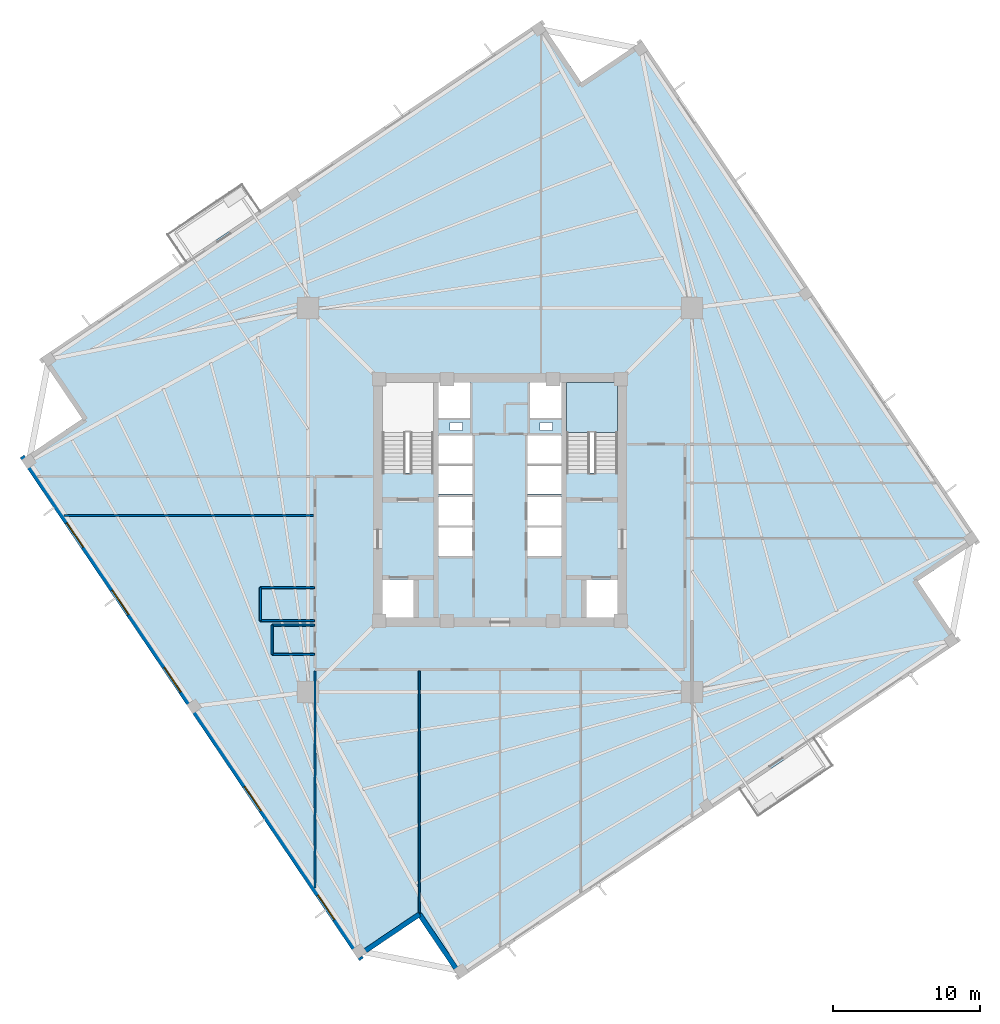
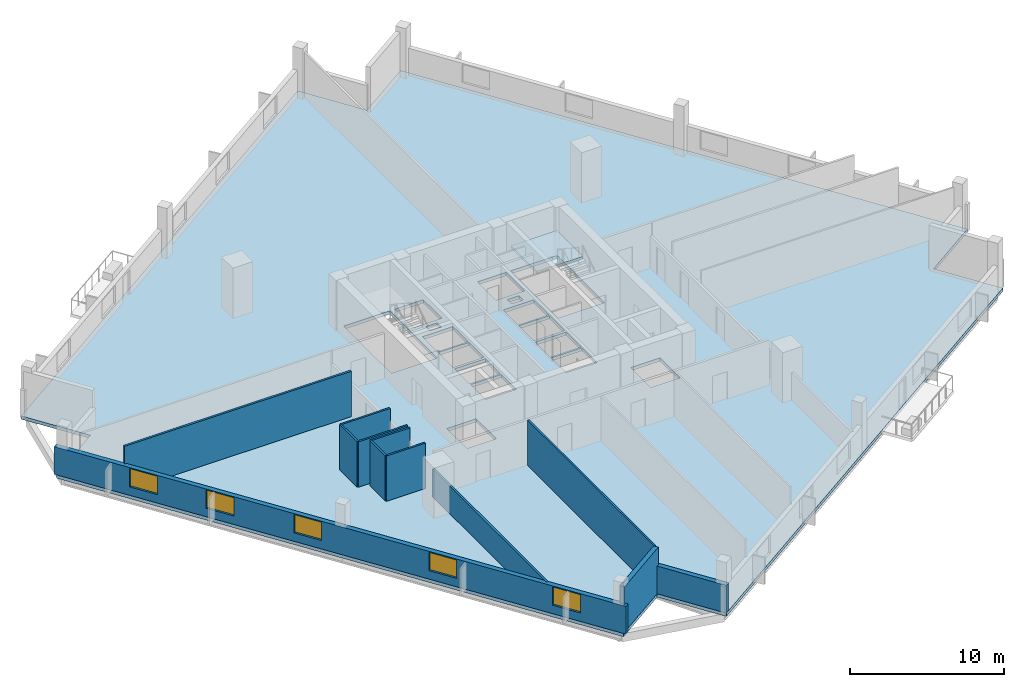
# One storey, part 2 of 8: 12 walls, 5 windows, 2 slabs, 5 openings, 1 element without a shape of its own.
"""IFC4 building model written with IfcOpenShell, lengths in metres."""

from ifc_helpers import new_model, si_unit, direction, frame, frame_2d, origin, place, context, subcontext, project, spatial, polyline, rectangle, outline, extrude, source, transform, mapped, material, layer, layer_set, type_object, element, fill, aggregate, save


model = new_model("IFC4")

# Units and contexts
model_context = context("Model", 3, precision=1e-05, world=origin(), true_north=direction((0.0, 1.0)))
body_context = subcontext(model_context, "Body", "Model", "MODEL_VIEW")
ifc_project = project(units=[si_unit("LENGTHUNIT", "METRE"), si_unit("AREAUNIT", "SQUARE_METRE"), si_unit("VOLUMEUNIT", "CUBIC_METRE"), si_unit("PLANEANGLEUNIT", "RADIAN"), si_unit("MASSUNIT", "GRAM", prefix="KILO"), si_unit("THERMODYNAMICTEMPERATUREUNIT", "KELVIN")], contexts=[model_context])

# Site, building, storey
site_placement = place(None, origin())
site = spatial("IfcSite", under=ifc_project, at=site_placement, CompositionType="ELEMENT")
building_placement = place(site_placement, origin())
building = spatial("IfcBuilding", under=site, at=building_placement, Name="Kosmvard Interchange Tower", CompositionType="ELEMENT")
storey_placement = place(building_placement, frame((0.0, 0.0, 196.39990234375)))
storey = spatial("IfcBuildingStorey", under=building, at=storey_placement, Name="L47", CompositionType="ELEMENT", Elevation=196.39990234375)

# Slab
ifc_material_1 = material(Name="Concrete C50/60", Category="concrete")
ifc_layer_1 = layer(ifc_material_1, 0.260009765625, Name="Concrete C50/60")
ifc_layer_set_1 = layer_set([ifc_layer_1], Name="Concrete C50/60")
slab_type_1 = type_object("IfcSlabType", Name="Mid-Rise Office Composite Slab 260 C50/60", PredefinedType="FLOOR", material=ifc_layer_set_1)
slab_1_placement = place(storey_placement, frame((0.0, 0.0, -0.260009765625)))
element("IfcSlab", 1, at=slab_1_placement, inside=storey, type_object=slab_type_1, Name="L47 Structural Floor Slab", PredefinedType="FLOOR", context=body_context, shape_type="SweptSolid", body=[
    extrude(outline(polyline([(-2.73583984375, -32.60400390625), (31.254638671875, -9.677001953125), (28.458740234375, -5.53173828125), (32.60400390625, -2.73583984375), (9.677001953125, 31.254638671875), (5.53173828125, 28.458740234375), (2.73583984375, 32.60400390625), (-31.254638671875, 9.677001953125), (-28.458740234375, 5.53173828125), (-32.60400390625, 2.73583984375), (-9.677001953125, -31.254638671875), (-5.53173828125, -28.458740234375), (-2.73583984375, -32.60400390625)]), holes=[polyline([(-8.0, 1.8349609375), (-4.5400390625, 1.8349609375), (-4.5400390625, 8.0), (-8.0, 8.0), (-8.0, 1.8349609375)]), polyline([(4.5400390625, 1.8349609375), (8.0, 1.8349609375), (8.0, 8.0), (4.5400390625, 8.0), (4.5400390625, 1.8349609375)]), polyline([(-8.0, -8.0), (-5.800048828125, -8.0), (-5.800048828125, -5.39990234375), (-8.0, -5.39990234375), (-8.0, -8.0)]), polyline([(5.800048828125, -8.0), (8.0, -8.0), (8.0, -5.39990234375), (5.800048828125, -5.39990234375), (5.800048828125, -8.0)]), polyline([(-4.179931640625, -3.800048828125), (-1.8798828125, -3.800048828125), (-1.8798828125, -1.860107421875), (-4.179931640625, -1.860107421875), (-4.179931640625, -3.800048828125)]), polyline([(-4.179931640625, -1.739990234375), (-1.8798828125, -1.739990234375), (-1.8798828125, 0.199951171875), (-4.179931640625, 0.199951171875), (-4.179931640625, -1.739990234375)]), polyline([(1.8798828125, -3.800048828125), (4.179931640625, -3.800048828125), (4.179931640625, -1.860107421875), (1.8798828125, -1.860107421875), (1.8798828125, -3.800048828125)]), polyline([(1.8798828125, -1.739990234375), (4.179931640625, -1.739990234375), (4.179931640625, 0.199951171875), (1.8798828125, 0.199951171875), (1.8798828125, -1.739990234375)]), polyline([(-4.179931640625, 0.39990234375), (-1.8798828125, 0.39990234375), (-1.8798828125, 2.340087890625), (-4.179931640625, 2.340087890625), (-4.179931640625, 0.39990234375)]), polyline([(-4.179931640625, 2.4599609375), (-1.8798828125, 2.4599609375), (-1.8798828125, 4.39990234375), (-4.179931640625, 4.39990234375), (-4.179931640625, 2.4599609375)]), polyline([(1.8798828125, 0.39990234375), (4.179931640625, 0.39990234375), (4.179931640625, 2.340087890625), (1.8798828125, 2.340087890625), (1.8798828125, 0.39990234375)]), polyline([(1.8798828125, 2.4599609375), (4.179931640625, 2.4599609375), (4.179931640625, 4.39990234375), (1.8798828125, 4.39990234375), (1.8798828125, 2.4599609375)]), polyline([(-4.179931640625, 5.60009765625), (-2.0400390625, 5.60009765625), (-2.0400390625, 8.0), (-4.179931640625, 8.0), (-4.179931640625, 5.60009765625)]), polyline([(2.0400390625, 5.60009765625), (4.179931640625, 5.60009765625), (4.179931640625, 8.0), (2.0400390625, 8.0), (2.0400390625, 5.60009765625)]), polyline([(-3.4150390625, 4.739990234375), (-2.56494140625, 4.739990234375), (-2.56494140625, 5.2900390625), (-3.4150390625, 5.2900390625), (-3.4150390625, 4.739990234375)]), polyline([(2.715087890625, 4.739990234375), (3.56494140625, 4.739990234375), (3.56494140625, 5.2900390625), (2.715087890625, 5.2900390625), (2.715087890625, 4.739990234375)])]), origin(), (0.0, 0.0, 1.0), 0.260009765625),
])

# Stair, slab
stair_type = type_object("IfcStairType", Name="Dog-Leg Core Exit Stair H4000 C50/60", PredefinedType="HALF_TURN_STAIR", material=ifc_material_1)
stair_placement = place(storey_placement, origin())
stair = element("IfcStair", 2, at=stair_placement, inside=storey, type_object=stair_type, Name="L47 Protected Exit Stair ST-2", PredefinedType="HALF_TURN_STAIR")
ifc_layer_2 = layer(ifc_material_1, 0.199951171875, Name="Concrete C50/60")
ifc_layer_set_2 = layer_set([ifc_layer_2], Name="Concrete C50/60")
slab_type_2 = type_object("IfcSlabType", Name="Stair Half-Landing Slab 200 C50/60", PredefinedType="LANDING", material=ifc_layer_set_2)
slab_2_placement = place(storey_placement, frame((0.0, 0.0, 1.800048828125)))
slab_2 = element("IfcSlab", 3, at=slab_2_placement, type_object=slab_type_2, Name="ST-2 landing 1", PredefinedType="LANDING", context=body_context, shape_type="SweptSolid", body=[
    extrude(outline(polyline([(8.0, 4.60009765625), (8.0, 8.0), (4.5400390625, 8.0), (4.5400390625, 4.60009765625), (8.0, 4.60009765625)])), origin(), (0.0, 0.0, 1.0), 0.199951171875),
])
aggregate(stair, [slab_2])

# Walls
ifc_material_2 = material(Name="Acoustic gypsum partition system")
ifc_layer_3 = layer(ifc_material_2, 0.14990234375, Name="Acoustic gypsum partition system")
ifc_layer_set_3 = layer_set([ifc_layer_3], Name="Acoustic gypsum partition system")
wall_type_1 = type_object("IfcWallType", Name="Acoustic Suite & Meeting Partition 150", PredefinedType="PARTITIONING", material=ifc_layer_set_3)
wall_1_placement = place(storey_placement, frame((-29.718505859375, -1.050048828125, 0.0), z_axis=(0.0, 0.0, 1.0), x_axis=(1.0, 0.0, 0.0)))
element("IfcWall", 4, at=wall_1_placement, inside=storey, type_object=wall_type_1, Name="L47 Room Partition 02.1", PredefinedType="PARTITIONING", context=body_context, shape_type="SweptSolid", body=[
    extrude(rectangle(XDim=17.0234375, YDim=0.14990234375, at=frame_2d((8.51171875, 0.0))), origin(), (0.0, 0.0, 1.0), 3.60009765625),
])
wall_2_placement = place(storey_placement, frame((-12.60009765625, -26.429443359375, 0.0), z_axis=(0.0, 0.0, 1.0), x_axis=(0.0, 1.0, 0.0)))
element("IfcWall", 5, at=wall_2_placement, inside=storey, type_object=wall_type_1, Name="L47 Room Partition 06.1", PredefinedType="PARTITIONING", context=body_context, shape_type="SweptSolid", body=[
    extrude(rectangle(XDim=14.784423828125, YDim=0.14990234375, at=frame_2d((7.39208984375, 0.0))), origin(), (0.0, 0.0, 1.0), 2.2001953125),
])

# Wall, openings, windows
ifc_material_3 = material(Name="Precast concrete C45/55", Category="concrete")
ifc_layer_4 = layer(ifc_material_3, 0.340087890625, Name="Precast concrete C45/55")
ifc_layer_set_4 = layer_set([ifc_layer_4], Name="Precast concrete C45/55")
wall_type_2 = type_object("IfcWallType", Name="Mid Tower Precast Pier Wall 340 C45/55", PredefinedType="STANDARD", material=ifc_layer_set_4)
wall_3_placement = place(storey_placement, frame((-32.55810546875, 2.971923828125, 0.0), z_axis=(0.0, 0.0, 1.0), x_axis=(0.559194910251, -0.829036218961, 0.0)))
wall_3 = element("IfcWall", 6, at=wall_3_placement, inside=storey, type_object=wall_type_2, Name="L47 Precast Facade Wall F-W", PredefinedType="STANDARD", context=body_context, shape_type="SweptSolid", body=[
    extrude(rectangle(XDim=41.340087890625, YDim=0.340087890625, at=frame_2d((20.669921875, 0.0))), origin(), (0.0, 0.0, 1.0), 2.2001953125),
])
opening_1_placement = place(wall_3_placement, frame((5.460693359375, 0.0, 0.669921875)))
opening_1 = element("IfcOpeningElement", 7, at=opening_1_placement, cuts=wall_3, Name="Opening L47-W16", PredefinedType="OPENING", context=body_context, shape_type="SweptSolid", body=[
    extrude(rectangle(XDim=2.0, YDim=1.449951171875, at=frame_2d((1.0, 0.72509765625))), frame((0.0, 0.18017578125, 0.0), z_axis=(0.0, -1.0, 0.0), x_axis=(1.0, 0.0, 0.0)), (0.0, 0.0, 1.0), 0.360107421875),
])
opening_2_placement = place(wall_3_placement, frame((10.988525390625, 0.0, 0.669921875)))
opening_2 = element("IfcOpeningElement", 8, at=opening_2_placement, cuts=wall_3, Name="Opening L47-W17", PredefinedType="OPENING", context=body_context, shape_type="SweptSolid", body=[
    extrude(rectangle(XDim=2.0, YDim=1.449951171875, at=frame_2d((1.0, 0.72509765625))), frame((0.0, 0.18017578125, 0.0), z_axis=(0.0, -1.0, 0.0), x_axis=(1.0, 0.0, 0.0)), (0.0, 0.0, 1.0), 0.360107421875),
])
opening_3_placement = place(wall_3_placement, frame((17.34326171875, 0.0, 0.669921875)))
opening_3 = element("IfcOpeningElement", 9, at=opening_3_placement, cuts=wall_3, Name="Opening L47-W18", PredefinedType="OPENING", context=body_context, shape_type="SweptSolid", body=[
    extrude(rectangle(XDim=2.0, YDim=1.449951171875, at=frame_2d((1.0, 0.72509765625))), frame((0.0, 0.18017578125, 0.0), z_axis=(0.0, -1.0, 0.0), x_axis=(1.0, 0.0, 0.0)), (0.0, 0.0, 1.0), 0.360107421875),
])
opening_4_placement = place(wall_3_placement, frame((27.111083984375, 0.0, 0.669921875)))
opening_4 = element("IfcOpeningElement", 10, at=opening_4_placement, cuts=wall_3, Name="Opening L47-W19", PredefinedType="OPENING", context=body_context, shape_type="SweptSolid", body=[
    extrude(rectangle(XDim=2.0, YDim=1.449951171875, at=frame_2d((1.0, 0.72509765625))), frame((0.0, 0.18017578125, 0.0), z_axis=(0.0, -1.0, 0.0), x_axis=(1.0, 0.0, 0.0)), (0.0, 0.0, 1.0), 0.360107421875),
])
opening_5_placement = place(wall_3_placement, frame((36.052490234375, 0.0, 0.669921875)))
opening_5 = element("IfcOpeningElement", 11, at=opening_5_placement, cuts=wall_3, Name="Opening L47-W20", PredefinedType="OPENING", context=body_context, shape_type="SweptSolid", body=[
    extrude(rectangle(XDim=2.0, YDim=1.449951171875, at=frame_2d((1.0, 0.72509765625))), frame((0.0, 0.18017578125, 0.0), z_axis=(0.0, -1.0, 0.0), x_axis=(1.0, 0.0, 0.0)), (0.0, 0.0, 1.0), 0.360107421875),
])
ifc_material_4 = material(Name="Low-E solar-control double glazing", Category="glass")
window_type = type_object("IfcWindowType", Name="Transfer Zone Punched Window 2000x1450", PartitioningType="SINGLE_PANEL", PredefinedType="WINDOW", material=ifc_material_4)
shared_shape = source(origin(), body_context, "Body", "SweptSolid", [
    extrude(rectangle(XDim=2.0, YDim=1.449951171875, at=frame_2d((1.0, 0.72509765625))), frame((0.0, 0.030029296875, 0.0), z_axis=(0.0, -1.0, 0.0), x_axis=(1.0, 0.0, 0.0)), (0.0, 0.0, 1.0), 0.06005859375),
])
window_1_placement = place(opening_1_placement, origin())
window_1 = element("IfcWindow", 12, at=window_1_placement, inside=storey, type_object=window_type, Name="L47 Facade Punched Window 16", OverallHeight=1.449951171875, OverallWidth=2.0, PartitioningType="SINGLE_PANEL", PredefinedType="WINDOW", context=body_context, shape_type="MappedRepresentation", body=[
    mapped(shared_shape, transform((0.0, 0.0, 0.0), scale=1.0)),
])
fill(opening_1, window_1)
window_2_placement = place(opening_2_placement, origin())
window_2 = element("IfcWindow", 13, at=window_2_placement, inside=storey, type_object=window_type, Name="L47 Facade Punched Window 17", OverallHeight=1.449951171875, OverallWidth=2.0, PartitioningType="SINGLE_PANEL", PredefinedType="WINDOW", context=body_context, shape_type="MappedRepresentation", body=[
    mapped(shared_shape, transform((0.0, 0.0, 0.0), scale=1.0)),
])
fill(opening_2, window_2)
window_3_placement = place(opening_3_placement, origin())
window_3 = element("IfcWindow", 14, at=window_3_placement, inside=storey, type_object=window_type, Name="L47 Facade Punched Window 18", OverallHeight=1.449951171875, OverallWidth=2.0, PartitioningType="SINGLE_PANEL", PredefinedType="WINDOW", context=body_context, shape_type="MappedRepresentation", body=[
    mapped(shared_shape, transform((0.0, 0.0, 0.0), scale=1.0)),
])
fill(opening_3, window_3)
window_4_placement = place(opening_4_placement, origin())
window_4 = element("IfcWindow", 15, at=window_4_placement, inside=storey, type_object=window_type, Name="L47 Facade Punched Window 19", OverallHeight=1.449951171875, OverallWidth=2.0, PartitioningType="SINGLE_PANEL", PredefinedType="WINDOW", context=body_context, shape_type="MappedRepresentation", body=[
    mapped(shared_shape, transform((0.0, 0.0, 0.0), scale=1.0)),
])
fill(opening_4, window_4)
window_5_placement = place(opening_5_placement, origin())
window_5 = element("IfcWindow", 16, at=window_5_placement, inside=storey, type_object=window_type, Name="L47 Facade Punched Window 20", OverallHeight=1.449951171875, OverallWidth=2.0, PartitioningType="SINGLE_PANEL", PredefinedType="WINDOW", context=body_context, shape_type="MappedRepresentation", body=[
    mapped(shared_shape, transform((0.0, 0.0, 0.0), scale=1.0)),
])
fill(opening_5, window_5)

# Walls
wall_4_placement = place(storey_placement, frame((-9.631103515625, -31.018798828125, 0.0), z_axis=(0.0, 0.0, 1.0), x_axis=(0.829025804298, 0.559210350234, 0.0)))
element("IfcWall", 17, at=wall_4_placement, inside=storey, type_object=wall_type_2, Name="L47 Precast Facade Wall N-SW1", PredefinedType="STANDARD", context=body_context, shape_type="SweptSolid", body=[
    extrude(rectangle(XDim=5.000244140625, YDim=0.340087890625, at=frame_2d((2.5, 0.0))), origin(), (0.0, 0.0, 1.0), 3.60009765625),
])
wall_5_placement = place(storey_placement, frame((-5.48583984375, -28.22265625, 0.0), z_axis=(0.0, 0.0, 1.0), x_axis=(0.559171107879, -0.82905227345, 0.0)))
element("IfcWall", 18, at=wall_5_placement, inside=storey, type_object=wall_type_2, Name="L47 Precast Facade Wall N-SW2", PredefinedType="STANDARD", context=body_context, shape_type="SweptSolid", body=[
    extrude(rectangle(XDim=5.169921875, YDim=0.340087890625, at=frame_2d((2.5849609375, 0.0))), origin(), (0.0, 0.0, 1.0), 2.2001953125),
])
ifc_material_5 = material(Name="Gypsum board partition system")
ifc_layer_5 = layer(ifc_material_5, 0.1201171875, Name="Gypsum board partition system")
ifc_layer_set_5 = layer_set([ifc_layer_5], Name="Gypsum board partition system")
wall_type_3 = type_object("IfcWallType", Name="Office Cellular Partition 120", PredefinedType="PARTITIONING", material=ifc_layer_set_5)
wall_6_placement = place(storey_placement, frame((-5.5, -28.10546875, 0.0), z_axis=(0.0, 0.0, 1.0), x_axis=(0.0, 1.0, 0.0)))
element("IfcWall", 19, at=wall_6_placement, inside=storey, type_object=wall_type_3, Name="L47 Room Partition 07.1", PredefinedType="PARTITIONING", context=body_context, shape_type="SweptSolid", body=[
    extrude(rectangle(XDim=16.46044921875, YDim=0.1201171875, at=frame_2d((8.230224609375, 0.0))), origin(), (0.0, 0.0, 1.0), 3.60009765625),
])
ifc_material_6 = material(Name="Moisture-resistant gypsum partition")
ifc_layer_6 = layer(ifc_material_6, 0.135009765625, Name="Moisture-resistant gypsum partition")
ifc_layer_set_6 = layer_set([ifc_layer_6], Name="Moisture-resistant gypsum partition")
wall_type_4 = type_object("IfcWallType", Name="Wet Room Moisture-Resistant Partition 135", PredefinedType="PARTITIONING", material=ifc_layer_set_6)
for number, where, z_axis, x_axis, name in (
    (20, (-15.52001953125, -10.52001953125, 0.0), (0.0, 0.0, 1.0), (1.0, 0.0, 0.0), "L47 Washroom Partition AWC1-S"),
    (21, (-15.52001953125, -8.52001953125, 0.0), (0.0, 0.0, 1.0), (1.0, 0.0, 0.0), "L47 Washroom Partition AWC1-N"),
):
    element("IfcWall", number, at=place(storey_placement, frame(where, z_axis=z_axis, x_axis=x_axis)), inside=storey, type_object=wall_type_4, Name=name, PredefinedType="PARTITIONING", context=body_context, shape_type="SweptSolid", body=[
        extrude(rectangle(XDim=2.89990234375, YDim=0.135009765625, at=frame_2d((1.449951171875, 0.0))), origin(), (0.0, 0.0, 1.0), 3.60009765625),
    ])
wall_7_placement = place(storey_placement, frame((-15.52001953125, -10.52001953125, 0.0), z_axis=(0.0, 0.0, 1.0), x_axis=(0.0, 1.0, 0.0)))
element("IfcWall", 22, at=wall_7_placement, inside=storey, type_object=wall_type_4, Name="L47 Washroom Partition AWC1-W", PredefinedType="PARTITIONING", context=body_context, shape_type="SweptSolid", body=[
    extrude(rectangle(XDim=2.0, YDim=0.135009765625, at=frame_2d((1.0, 0.0))), origin(), (0.0, 0.0, 1.0), 3.60009765625),
])
for number, where, z_axis, x_axis, name in (
    (23, (-16.320068359375, -8.220947265625, 0.0), (0.0, 0.0, 1.0), (1.0, 0.0, 0.0), "L47 Washroom Partition WC1-S"),
    (24, (-16.320068359375, -5.970947265625, 0.0), (0.0, 0.0, 1.0), (1.0, 0.0, 0.0), "L47 Washroom Partition WC1-N"),
):
    element("IfcWall", number, at=place(storey_placement, frame(where, z_axis=z_axis, x_axis=x_axis)), inside=storey, type_object=wall_type_4, Name=name, PredefinedType="PARTITIONING", context=body_context, shape_type="SweptSolid", body=[
        extrude(rectangle(XDim=3.699951171875, YDim=0.135009765625, at=frame_2d((1.85009765625, 0.0))), origin(), (0.0, 0.0, 1.0), 3.60009765625),
    ])
wall_8_placement = place(storey_placement, frame((-16.320068359375, -8.220947265625, 0.0), z_axis=(0.0, 0.0, 1.0), x_axis=(0.0, 1.0, 0.0)))
element("IfcWall", 25, at=wall_8_placement, inside=storey, type_object=wall_type_4, Name="L47 Washroom Partition WC1-W", PredefinedType="PARTITIONING", context=body_context, shape_type="SweptSolid", body=[
    extrude(rectangle(XDim=2.25, YDim=0.135009765625, at=frame_2d((1.125, 0.0))), origin(), (0.0, 0.0, 1.0), 3.60009765625),
])

save(model, "model.ifc")
